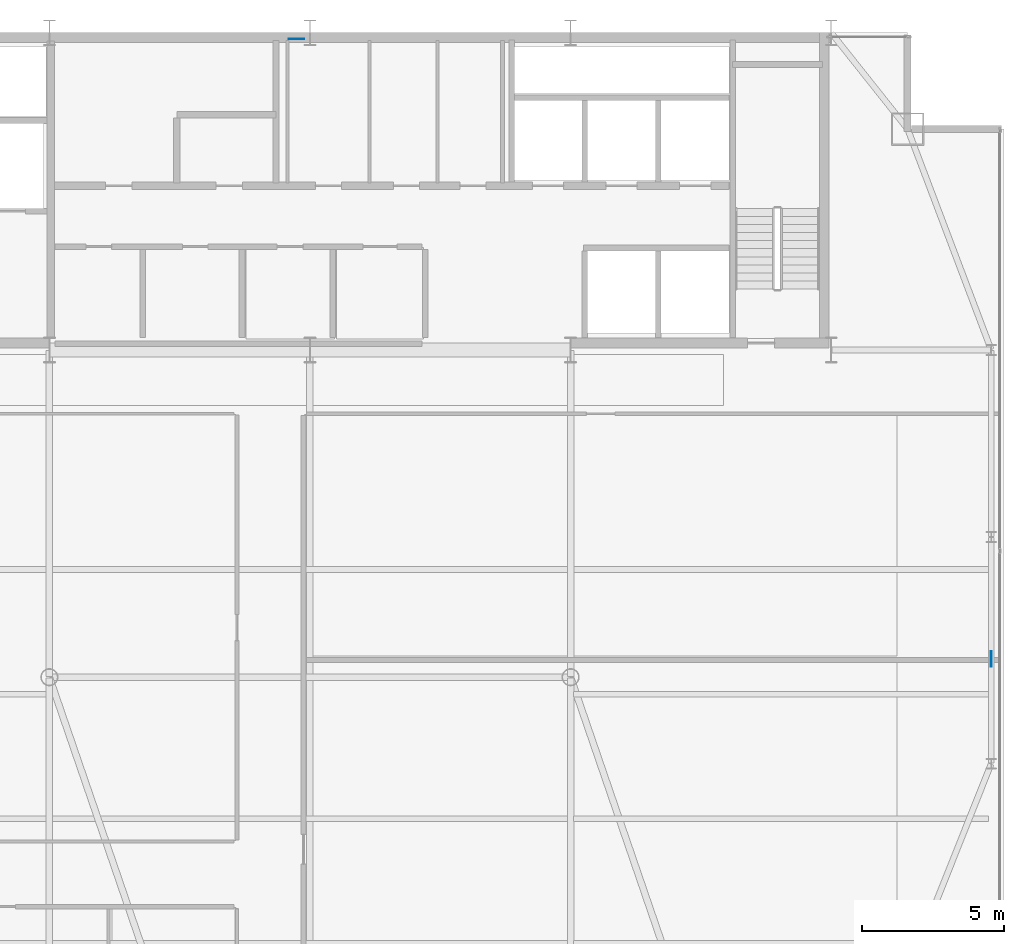
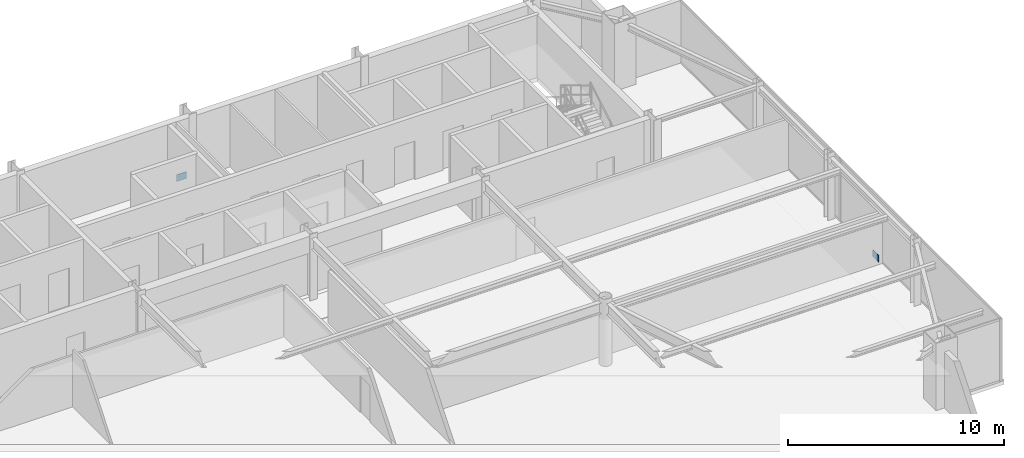
# One storey, part 25 of 30: 2 plates.
"""IFC4 building model written with IfcOpenShell, lengths in metres."""

from ifc_helpers import new_model, si_unit, direction, frame, origin, origin_2d, place, context, subcontext, project, spatial, rectangle, extrude, source, transform, mapped, material, layer, layer_set, type_object, type_shapes, element, save


model = new_model("IFC4")

# Units and contexts
model_context = context("Model", 3, precision=1e-05, world=origin(), true_north=direction((0.0, 1.0)))
body_context = subcontext(model_context, "Body", "Model", "MODEL_VIEW")
ifc_project = project(units=[si_unit("LENGTHUNIT", "METRE"), si_unit("AREAUNIT", "SQUARE_METRE"), si_unit("VOLUMEUNIT", "CUBIC_METRE"), si_unit("PLANEANGLEUNIT", "RADIAN"), si_unit("MASSUNIT", "GRAM", prefix="KILO")], contexts=[model_context])

# Site, building, storey
site_placement = place(None, origin())
site = spatial("IfcSite", under=ifc_project, at=site_placement, CompositionType="ELEMENT")
building_placement = place(site_placement, origin())
building = spatial("IfcBuilding", under=site, at=building_placement, Name="Varnel Quay Broadcast Tower", CompositionType="ELEMENT")
storey_placement = place(building_placement, frame((0.0, 0.0, 222.60009765625)))
storey = spatial("IfcBuildingStorey", under=building, at=storey_placement, Name="L55", CompositionType="ELEMENT", Elevation=222.60009765625)

# Plates
ifc_material = material(Name="Structural Steel CSA G40.21 350WT", Category="steel")
ifc_layer = layer(ifc_material, 0.031982421875, Name="Structural Steel CSA G40.21 350WT")
ifc_layer_set = layer_set([ifc_layer], Name="Structural Steel CSA G40.21 350WT")
plate_type = type_object("IfcPlateType", Name="Plate_EndCap", PredefinedType="USERDEFINED", material=ifc_layer_set)
shared_shape = source(origin(), body_context, "Body", "SweptSolid", [
    extrude(rectangle(XDim=0.5400390625, YDim=0.031982421875, at=origin_2d()), origin(), (0.0, 0.0, 1.0), 0.3798828125),
])
type_shapes(plate_type, [shared_shape])
for number, where, z_axis, x_axis, name in (
    (1, (33.524169921875, 46.580078125, 0.070556640625), (0.0, 0.0, 1.0), (1.0, 0.0, 0.0), "Zone 4 Mega-Brace N-CT2 Diag B2 End Connection Plate P0"),
    (2, (58.050048828125, 24.693359375, 0.25634765625), (0.0, 0.0, 1.0), (0.0, 1.0, 0.0), "Zone 4 Mega-Brace E-FT2 Diag B2 End Connection Plate P0"),
):
    element("IfcPlate", number, at=place(storey_placement, frame(where, z_axis=z_axis, x_axis=x_axis)), inside=storey, type_object=plate_type, Name=name, ObjectType="CAP_PLATE", PredefinedType="USERDEFINED", context=body_context, shape_type="MappedRepresentation", body=[
        mapped(shared_shape, transform((0.0, 0.0, 0.0), x_axis=(1.0, 0.0, 0.0), y_axis=(0.0, 1.0, 0.0), z_axis=(0.0, 0.0, 1.0), scale=1.0)),
    ])

save(model, "model.ifc")
